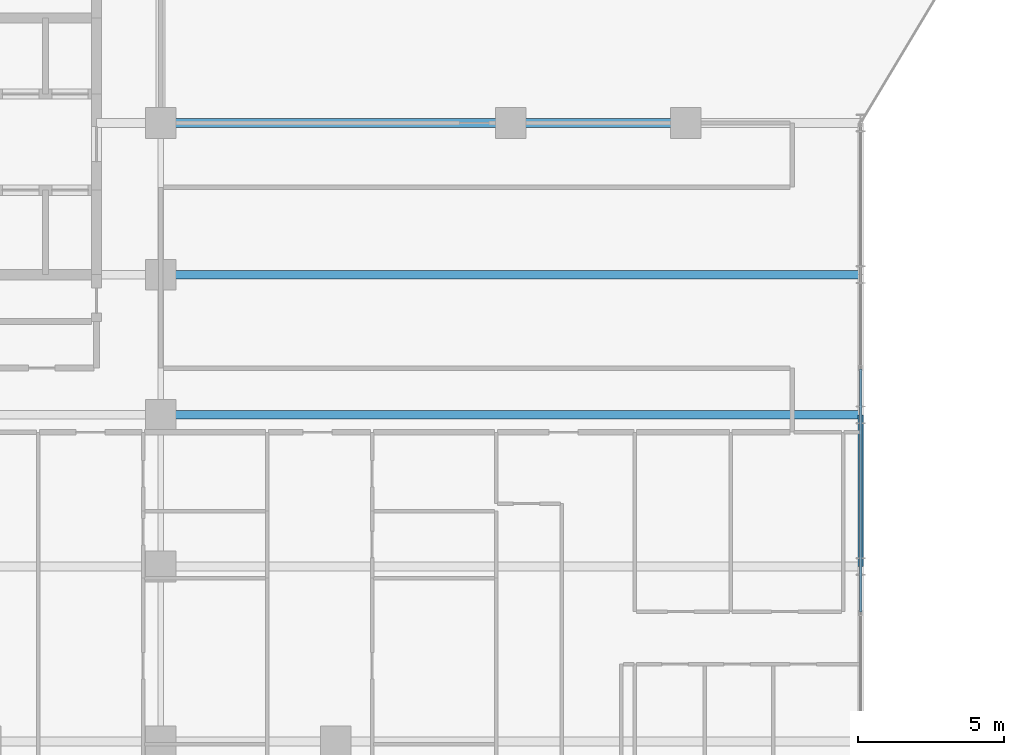
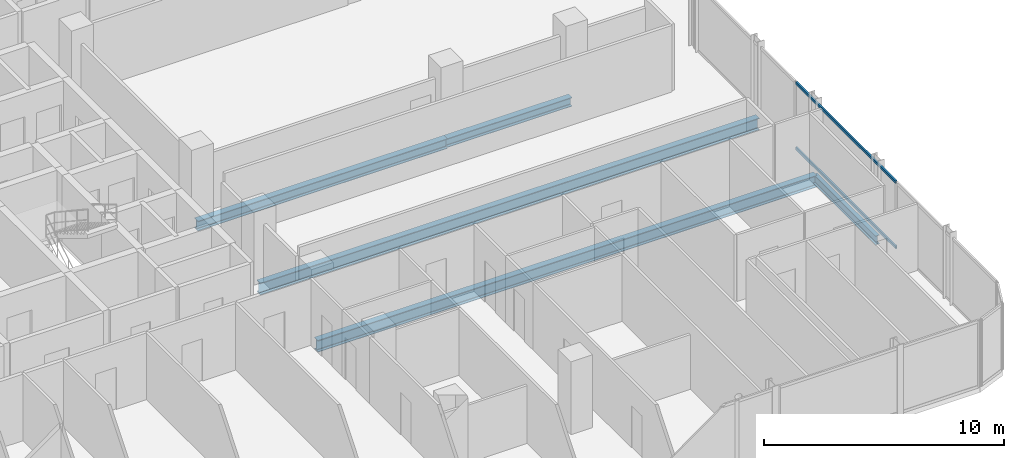
# One storey, part 11 of 30: 5 beams, 2 members, 1 element without a shape of its own.
"""IFC4 building model written with IfcOpenShell, lengths in metres."""

from ifc_helpers import new_model, si_unit, direction, frame, origin, origin_2d, place, context, subcontext, project, spatial, hollow_rectangle, i_section, extrude, material, layer, layer_set, material_profile, profile_set, type_object, element, aggregate, save


model = new_model("IFC4")

# Units and contexts
model_context = context("Model", 3, precision=1e-05, world=origin(), true_north=direction((0.0, 1.0)))
body_context = subcontext(model_context, "Body", "Model", "MODEL_VIEW")
ifc_project = project(units=[si_unit("LENGTHUNIT", "METRE"), si_unit("AREAUNIT", "SQUARE_METRE"), si_unit("VOLUMEUNIT", "CUBIC_METRE"), si_unit("PLANEANGLEUNIT", "RADIAN"), si_unit("MASSUNIT", "GRAM", prefix="KILO")], contexts=[model_context])

# Site, building, storey
site_placement = place(None, origin())
site = spatial("IfcSite", under=ifc_project, at=site_placement, CompositionType="ELEMENT")
building_placement = place(site_placement, origin())
building = spatial("IfcBuilding", under=site, at=building_placement, Name="Keshet Zoharim Tower", CompositionType="ELEMENT")
storey_placement = place(building_placement, frame((0.0, 0.0, 113.10009765625)))
storey = spatial("IfcBuildingStorey", under=building, at=storey_placement, Name="L27", CompositionType="ELEMENT", Elevation=113.10009765625)

# Beams
ifc_material_1 = material(Name="Steel S355", Category="steel")
ifc_material_profile_1 = material_profile(ifc_material_1, i_section(OverallWidth=0.300048828125, OverallDepth=0.60009765625, WebThickness=0.015380859375, FlangeThickness=0.030029296875, FilletRadius=0.027099609375, at=origin_2d()), Name="HEB600")
ifc_profile_set_1 = profile_set([ifc_material_profile_1], Name="Steel S355")
beam_type_1 = type_object("IfcBeamType", Name="BM-LNG-HB600", PredefinedType="BEAM", material=ifc_profile_set_1)
for number, where, z_axis, x_axis, name in (
    (1, (33.0, 17.89990234375, -0.614990234375), (1.0, 0.0, 0.0), (0.0, 1.0, 0.0), "L27 Primary Girder X-013"),
    (2, (33.0, 22.699951171875, -0.614990234375), (1.0, 0.0, 0.0), (0.0, 1.0, 0.0), "L27 Primary Girder X-014"),
):
    element("IfcBeam", number, at=place(storey_placement, frame(where, z_axis=z_axis, x_axis=x_axis)), inside=storey, type_object=beam_type_1, Name=name, PredefinedType="BEAM", context=body_context, shape_type="SweptSolid", body=[
        extrude(i_section(OverallWidth=0.300048828125, OverallDepth=0.60009765625, WebThickness=0.015380859375, FlangeThickness=0.030029296875, FilletRadius=0.027099609375, at=origin_2d()), origin(), (0.0, 0.0, 1.0), 24.0),
    ])
ifc_material_profile_2 = material_profile(ifc_material_1, i_section(OverallWidth=0.300048828125, OverallDepth=0.5, WebThickness=0.014404296875, FlangeThickness=0.028076171875, FilletRadius=0.027099609375, at=origin_2d()), Name="HEB500")
ifc_profile_set_2 = profile_set([ifc_material_profile_2], Name="Steel S355")
beam_type_2 = type_object("IfcBeamType", Name="BM-MED-HB500", PredefinedType="BEAM", material=ifc_profile_set_2)
beam_1_placement = place(storey_placement, frame((33.0, 27.89990234375, -0.565185546875), z_axis=(1.0, 0.0, 0.0), x_axis=(0.0, 1.0, 0.0)))
element("IfcBeam", 3, at=beam_1_placement, inside=storey, type_object=beam_type_2, Name="L27 Primary Girder X-015", PredefinedType="BEAM", context=body_context, shape_type="SweptSolid", body=[
    extrude(i_section(OverallWidth=0.300048828125, OverallDepth=0.5, WebThickness=0.014404296875, FlangeThickness=0.028076171875, FilletRadius=0.027099609375, at=origin_2d()), origin(), (0.0, 0.0, 1.0), 12.0),
])
ifc_material_profile_3 = material_profile(ifc_material_1, i_section(OverallWidth=0.18994140625, OverallDepth=0.449951171875, WebThickness=0.009521484375, FlangeThickness=0.0146484375, FilletRadius=0.02099609375, at=origin_2d()), Name="IPE450")
ifc_profile_set_3 = profile_set([ifc_material_profile_3], Name="Steel S355")
beam_type_3 = type_object("IfcBeamType", Name="BM-PRI-IP450", PredefinedType="BEAM", material=ifc_profile_set_3)
beam_2_placement = place(storey_placement, frame((57.0, 12.699951171875, -0.5400390625), z_axis=(0.0, 1.0, 0.0), x_axis=(-1.0, 0.0, 0.0)))
element("IfcBeam", 4, at=beam_2_placement, inside=storey, type_object=beam_type_3, Name="L27 Primary Girder Y-014", PredefinedType="BEAM", context=body_context, shape_type="SweptSolid", body=[
    extrude(i_section(OverallWidth=0.18994140625, OverallDepth=0.449951171875, WebThickness=0.009521484375, FlangeThickness=0.0146484375, FilletRadius=0.02099609375, at=origin_2d()), origin(), (0.0, 0.0, 1.0), 5.199951171875),
])
ifc_material_profile_4 = material_profile(ifc_material_1, i_section(OverallWidth=0.300048828125, OverallDepth=0.449951171875, WebThickness=0.013916015625, FlangeThickness=0.02587890625, FilletRadius=0.027099609375, at=origin_2d()), Name="HEB450")
ifc_profile_set_4 = profile_set([ifc_material_profile_4], Name="Steel S355")
beam_type_4 = type_object("IfcBeamType", Name="BM-WEB-HB450", PredefinedType="BEAM", material=ifc_profile_set_4)
beam_3_placement = place(storey_placement, frame((45.0, 27.89990234375, -0.5400390625), z_axis=(1.0, 0.0, 0.0), x_axis=(0.0, 1.0, 0.0)))
element("IfcBeam", 5, at=beam_3_placement, inside=storey, type_object=beam_type_4, Name="L27 Primary Girder X-016", PredefinedType="BEAM", context=body_context, shape_type="SweptSolid", body=[
    extrude(i_section(OverallWidth=0.300048828125, OverallDepth=0.449951171875, WebThickness=0.013916015625, FlangeThickness=0.02587890625, FilletRadius=0.027099609375, at=origin_2d()), origin(), (0.0, 0.0, 1.0), 6.0),
])

# Curtain wall, members
ifc_material_2 = material(Name="Aluminium 6063-T6", Category="aluminium")
ifc_layer = layer(ifc_material_2, 0.159912109375)
ifc_layer_set = layer_set([ifc_layer], Name="Aluminium 6063-T6")
curtain_wall_type = type_object("IfcCurtainWallType", Name="CW-SYS-03", PredefinedType="NOTDEFINED", material=ifc_layer_set)
curtain_wall_placement = place(storey_placement, origin())
curtain_wall = element("IfcCurtainWall", 6, at=curtain_wall_placement, inside=storey, type_object=curtain_wall_type, Name="L27 Unitised Curtain Wall 19", PredefinedType="NOTDEFINED")
ifc_material_profile_5 = material_profile(ifc_material_2, hollow_rectangle(XDim=0.080078125, YDim=0.139892578125, WallThickness=0.00390625, at=origin_2d()), Name="TRN-80x140")
ifc_profile_set_5 = profile_set([ifc_material_profile_5], Name="Aluminium 6063-T6")
member_type = type_object("IfcMemberType", Name="CWT-T14", PredefinedType="USERDEFINED", material=ifc_profile_set_5)
member_1_placement = place(storey_placement, frame((57.0, 19.465087890625, 0.034912109375), z_axis=(0.0, -1.0, 0.0), x_axis=(1.0, 0.0, 0.0)))
member_1 = element("IfcMember", 7, at=member_1_placement, type_object=member_type, Name="CW-03 transom 2.1", ObjectType="TRANSOM", PredefinedType="USERDEFINED", context=body_context, shape_type="SweptSolid", body=[
    extrude(hollow_rectangle(XDim=0.080078125, YDim=0.139892578125, WallThickness=0.00390625, at=origin_2d()), origin(), (0.0, 0.0, 1.0), 8.330078125),
])
member_2_placement = place(storey_placement, frame((57.0, 19.465087890625, 3.349853515625), z_axis=(0.0, -1.0, 0.0), x_axis=(1.0, 0.0, 0.0)))
member_2 = element("IfcMember", 8, at=member_2_placement, type_object=member_type, Name="CW-03 transom 2.2", ObjectType="TRANSOM", PredefinedType="USERDEFINED", context=body_context, shape_type="SweptSolid", body=[
    extrude(hollow_rectangle(XDim=0.080078125, YDim=0.139892578125, WallThickness=0.00390625, at=origin_2d()), origin(), (0.0, 0.0, 1.0), 8.330078125),
])
aggregate(curtain_wall, [member_1, member_2])

save(model, "model.ifc")
